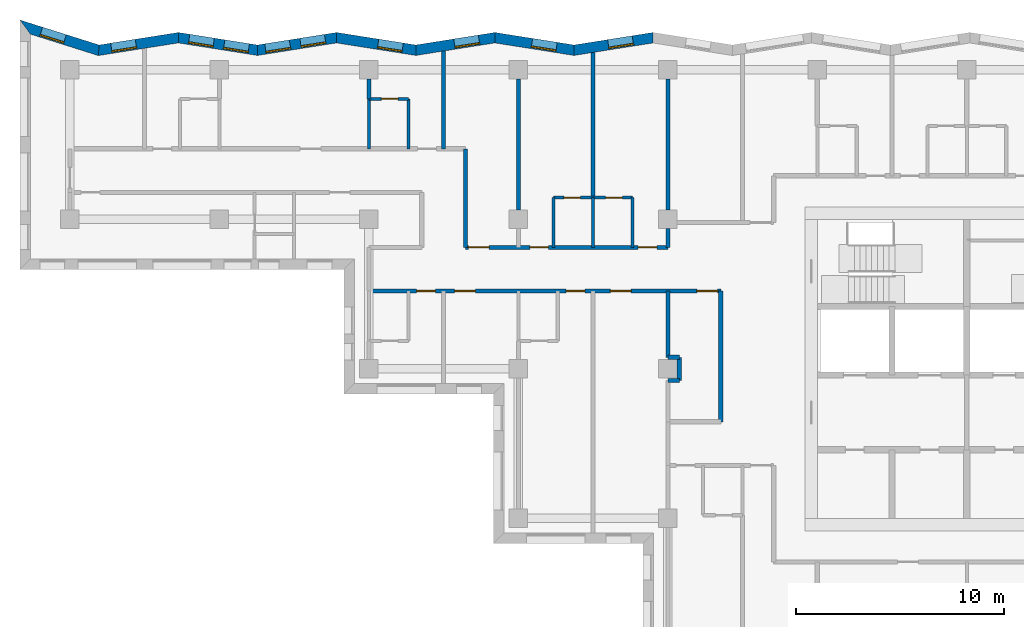
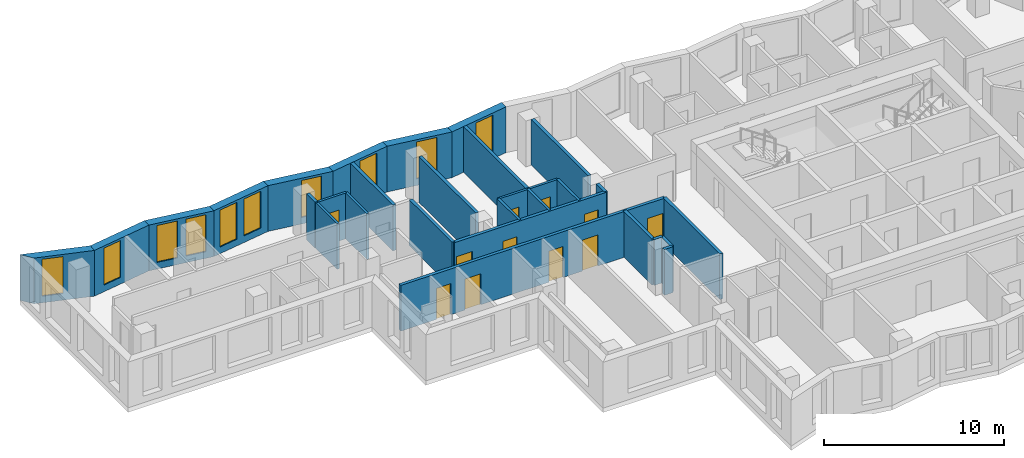
# One storey, part 5 of 12: 29 walls, 11 doors, 10 windows, 21 openings.
"""IFC4 building model written with IfcOpenShell, lengths in metres."""

import ifcopenshell
import ifcopenshell.guid

model = None  # the IFC model being written
_history = None  # IfcOwnerHistory: only IFC2X3 demands one
_inside = {}  # id of a spatial element -> (the spatial element, [elements in it])
_under = {}  # id of a project, library or spatial element -> (it, [spatial elements below it])
_declared = {}  # id of a project -> (the project, [libraries it declares])
_typed = {}  # id of a type object -> (the type object, [elements of that type])
_made_of = {}  # id of a material, layer set ... -> (it, [elements and type objects made of it])


def new_model(schema):
    """Start an empty IFC model of exactly this schema.

    Asked for "IFC4X3", IfcOpenShell would pick the latest addendum, in which some entities
    have other attributes; the version numbers below select the first issue.
    IFC2X3 requires an IfcOwnerHistory on every rooted entity: one is made here for all.
    """
    global model, _history
    if schema == "IFC4X3":
        model = ifcopenshell.file(schema_version=(4, 3, 0, 0))
    else:
        model = ifcopenshell.file(schema=schema)
    _inside.clear()
    _under.clear()
    _declared.clear()
    _typed.clear()
    _made_of.clear()
    _history = None
    if model.schema == "IFC2X3":
        org = make("IfcOrganization", Name="unknown")
        user = make(
            "IfcPersonAndOrganization",
            ThePerson=make("IfcPerson", FamilyName="unknown"),
            TheOrganization=org,
        )
        app = make(
            "IfcApplication",
            ApplicationDeveloper=org,
            Version="unknown",
            ApplicationFullName="unknown",
            ApplicationIdentifier="unknown",
        )
        _history = make(
            "IfcOwnerHistory",
            OwningUser=user,
            OwningApplication=app,
            ChangeAction="ADDED",
            CreationDate=0,
        )
    return model


def make(cls, **values):
    """One entity of the class cls with the attributes given. An attribute that is None is left unset."""
    return model.create_entity(
        cls, **{name: value for name, value in values.items() if value is not None}
    )


def rooted(cls, **values):
    """An entity with a GlobalId (a new one), such as an element, a storey or a relation."""
    return make(cls, GlobalId=ifcopenshell.guid.new(), OwnerHistory=_history, **values)


def si_unit(unit_type, name, prefix=None):
    """IfcSIUnit, for example si_unit("LENGTHUNIT", "METRE", prefix="MILLI")."""
    return make("IfcSIUnit", UnitType=unit_type, Prefix=prefix, Name=name)


def assignment(units):
    """IfcUnitAssignment: the units of a project."""
    return None if units is None else make("IfcUnitAssignment", Units=units)


def point(xyz):
    """IfcCartesianPoint."""
    return None if xyz is None else make("IfcCartesianPoint", Coordinates=xyz)


def direction(xyz):
    """IfcDirection."""
    return None if xyz is None else make("IfcDirection", DirectionRatios=xyz)


def frame(location, z_axis=None, x_axis=None):
    """IfcAxis2Placement3D, a coordinate frame: its origin and axes. An axis left out is left unset."""
    return make(
        "IfcAxis2Placement3D",
        Location=point(location),
        Axis=direction(z_axis),
        RefDirection=direction(x_axis),
    )


def frame_2d(location, x_axis=None):
    """IfcAxis2Placement2D, a coordinate frame in the plane: its origin and x axis."""
    return make(
        "IfcAxis2Placement2D", Location=point(location), RefDirection=direction(x_axis)
    )


def origin():
    """The frame at (0, 0, 0) with its axes left unset."""
    return frame((0.0, 0.0, 0.0))


def place(relative_to, where):
    """IfcLocalPlacement: puts the frame where relative to a parent placement (None: the world)."""
    return make(
        "IfcLocalPlacement", PlacementRelTo=relative_to, RelativePlacement=where
    )


def context(
    kind, dimensions, precision=None, world=None, true_north=None, identifier=None
):
    """IfcGeometricRepresentationContext, for example the 3D "Model" context."""
    return make(
        "IfcGeometricRepresentationContext",
        ContextIdentifier=identifier,
        ContextType=kind,
        CoordinateSpaceDimension=dimensions,
        Precision=precision,
        WorldCoordinateSystem=world,
        TrueNorth=true_north,
    )


def subcontext(parent, identifier, kind, view, scale=None):
    """IfcGeometricRepresentationSubContext, for example "Body" below "Model"."""
    return make(
        "IfcGeometricRepresentationSubContext",
        ContextIdentifier=identifier,
        ContextType=kind,
        ParentContext=parent,
        TargetScale=scale,
        TargetView=view,
    )


def project(units=None, contexts=None):
    """IfcProject with its units and contexts."""
    return rooted(
        "IfcProject",
        Name="project",
        RepresentationContexts=contexts,
        UnitsInContext=assignment(units),
    )


def spatial(cls, under=None, at=None, **own):
    """A site, building, storey or space (cls), placed at a placement, below another one or the project."""
    s = rooted(cls, ObjectPlacement=at, **own)
    if under is not None:
        _under.setdefault(under.id(), (under, []))[1].append(s)
    return s


def polyline(points):
    """IfcPolyline through the points."""
    return make("IfcPolyline", Points=[point(p) for p in points])


def profile(cls, at=None, kind="AREA", **sizes):
    """A parametric profile (cls). Its sizes go by their IFC names, for example OverallWidth=200.0."""
    return make(cls, ProfileType=kind, Position=at, **sizes)


def rectangle(**sizes):
    """IfcRectangleProfileDef."""
    return profile("IfcRectangleProfileDef", **sizes)


def outline(outer, holes=None, kind="AREA"):
    """IfcArbitraryClosedProfileDef: a profile drawn as a closed curve; with holes, ...WithVoids."""
    if holes is None:
        return make("IfcArbitraryClosedProfileDef", ProfileType=kind, OuterCurve=outer)
    return make(
        "IfcArbitraryProfileDefWithVoids",
        ProfileType=kind,
        OuterCurve=outer,
        InnerCurves=holes,
    )


def extrude(swept, where, along, depth):
    """IfcExtrudedAreaSolid: the profile swept, set in the frame where, extruded along a direction by depth."""
    return make(
        "IfcExtrudedAreaSolid",
        SweptArea=swept,
        Position=where,
        ExtrudedDirection=direction(along),
        Depth=depth,
    )


def shape(context_of_items, identifier, shape_type, items):
    """IfcShapeRepresentation: the items that make up one representation, for example the "Body"."""
    return make(
        "IfcShapeRepresentation",
        ContextOfItems=context_of_items,
        RepresentationIdentifier=identifier,
        RepresentationType=shape_type,
        Items=items,
    )


def material(Name=None, Category=None):
    """IfcMaterial."""
    return make("IfcMaterial", Name=Name, Category=Category)


def layer(
    of_material, thickness, ventilated=None, Name=None, Category=None, Priority=None
):
    """IfcMaterialLayer: one layer of a wall or slab, of a material (None: an air gap)."""
    return make(
        "IfcMaterialLayer",
        Material=of_material,
        LayerThickness=thickness,
        IsVentilated=ventilated,
        Name=Name,
        Category=Category,
        Priority=Priority,
    )


def layer_set(layers, Name=None):
    """IfcMaterialLayerSet."""
    return make("IfcMaterialLayerSet", MaterialLayers=layers, LayerSetName=Name)


def made_of(thing, what):
    """Note that an element or type object is made of a material, layer set ...; save() writes the relation."""
    if what is not None:
        _made_of.setdefault(what.id(), (what, []))[1].append(thing)
    return thing


def type_object(cls, material=None, **own):
    """A type object (cls), such as IfcWallType, which elements share."""
    return made_of(rooted(cls, **own), material)


def element(
    cls,
    number,
    at=None,
    inside=None,
    cuts=None,
    type_object=None,
    material=None,
    context=None,
    identifier="Body",
    shape_type=None,
    held_by="IfcProductDefinitionShape",
    body=None,
    shapes=None,
    **own,
):
    """One element of the class cls, such as IfcWall. Its Tag is "e" and its number.

    at: its placement. inside: the storey or other place that contains it. cuts: it is an
    opening in that element (IfcRelVoidsElement). A single representation is given by context,
    identifier, shape_type and body (its items); several are given by shapes. held_by: the class
    of the entity that holds the representations. save() writes the other relations.
    """
    e = rooted(cls, Tag="e%d" % number, ObjectPlacement=at, **own)
    if body is not None:
        shapes = [shape(context, identifier, shape_type, body)]
    if shapes is not None:
        e.Representation = make(held_by, Representations=shapes)
    if inside is not None:
        _inside.setdefault(inside.id(), (inside, []))[1].append(e)
    if cuts is not None:
        rooted(
            "IfcRelVoidsElement", RelatingBuildingElement=cuts, RelatedOpeningElement=e
        )
    if type_object is not None:
        _typed.setdefault(type_object.id(), (type_object, []))[1].append(e)
    return made_of(e, material)


def fill(opening, filler):
    """IfcRelFillsElement: the door or window that sits in an opening."""
    return rooted(
        "IfcRelFillsElement",
        RelatingOpeningElement=opening,
        RelatedBuildingElement=filler,
    )


def aggregate(whole, parts):
    """IfcRelAggregates: a whole, such as a stair, and the parts it consists of."""
    return rooted("IfcRelAggregates", RelatingObject=whole, RelatedObjects=parts)


def save(model, path):
    """Write the relations noted so far, then the file.

    IfcRelAggregates (storeys below a building ...), IfcRelContainedInSpatialStructure (elements
    in a storey), IfcRelDefinesByType, IfcRelAssociatesMaterial and IfcRelDeclares: one each for
    every whole, place, type object, material and project.
    """
    for whole, parts in _under.values():
        aggregate(whole, parts)
    for where, things in _inside.values():
        rooted(
            "IfcRelContainedInSpatialStructure",
            RelatedElements=things,
            RelatingStructure=where,
        )
    for kind, things in _typed.values():
        rooted("IfcRelDefinesByType", RelatedObjects=things, RelatingType=kind)
    for what, things in _made_of.values():
        rooted("IfcRelAssociatesMaterial", RelatedObjects=things, RelatingMaterial=what)
    for by, libraries in _declared.values():
        rooted("IfcRelDeclares", RelatingContext=by, RelatedDefinitions=libraries)
    model.write(path)


model = new_model("IFC4")

# Units and contexts
model_context = context("Model", 3, precision=1e-05, world=origin(), true_north=direction((0.0, 1.0)))
body_context = subcontext(model_context, "Body", "Model", "MODEL_VIEW")
ifc_project = project(units=[si_unit("LENGTHUNIT", "METRE"), si_unit("AREAUNIT", "SQUARE_METRE"), si_unit("VOLUMEUNIT", "CUBIC_METRE"), si_unit("PLANEANGLEUNIT", "RADIAN"), si_unit("MASSUNIT", "GRAM", prefix="KILO")], contexts=[model_context])

# Site, building, storey
site_placement = place(None, origin())
site = spatial("IfcSite", under=ifc_project, at=site_placement, CompositionType="ELEMENT")
building_placement = place(site_placement, origin())
building = spatial("IfcBuilding", under=site, at=building_placement, Name="Windrow Commons", CompositionType="ELEMENT")
storey_placement = place(building_placement, frame((0.0, 0.0, 169.4)))
storey = spatial("IfcBuildingStorey", under=building, at=storey_placement, Name="L46", CompositionType="ELEMENT", Elevation=169.4)

# Wall, opening, window
ifc_material_1 = material(Name="Brick masonry, red clay brick", Category="masonry")
ifc_layer_1 = layer(ifc_material_1, 0.5)
ifc_layer_set_1 = layer_set([ifc_layer_1], Name="Brick facade wall 500")
wall_type_1 = type_object("IfcWallType", Name="Brick facade wall 500", PredefinedType="SOLIDWALL", material=ifc_layer_set_1)
wall_1_placement = place(storey_placement, frame((49.6962, 73.5499, 0.0), z_axis=(0.0, 0.0, 1.0), x_axis=(-0.9877213372, -0.1562259905, 0.0)))
wall_1 = element("IfcWall", 1, at=wall_1_placement, inside=storey, type_object=wall_type_1, Name="Brick facade wall L46 27", PredefinedType="SOLIDWALL", context=body_context, shape_type="SweptSolid", body=[
    extrude(outline(polyline([(-0.0395, -0.25), (3.8203, -0.25), (3.8993, 0.25), (0.0395, 0.25), (-0.0395, -0.25)])), origin(), (0.0, 0.0, 1.0), 3.1),
])
opening_1_placement = place(wall_1_placement, frame((0.9859, 0.0, 0.45)))
opening_1 = element("IfcOpeningElement", 2, at=opening_1_placement, cuts=wall_1, Name="Opening W7E", PredefinedType="OPENING", context=body_context, shape_type="SweptSolid", body=[
    extrude(rectangle(XDim=1.2, YDim=2.5, at=frame_2d((0.6, 1.25))), frame((0.0, 0.26, 0.0), z_axis=(0.0, -1.0, 0.0), x_axis=(1.0, 0.0, 0.0)), (0.0, 0.0, 1.0), 0.52),
])
ifc_material_2 = material(Name="Clear float glass in anodised aluminium frame", Category="aluminium")
window_type = type_object("IfcWindowType", Name="Window W7 notch 1200x2500", PartitioningType="SINGLE_PANEL", PredefinedType="WINDOW", material=ifc_material_2)
window_1_placement = place(opening_1_placement, origin())
window_1 = element("IfcWindow", 3, at=window_1_placement, inside=storey, type_object=window_type, Name="Window L46 27.1", OverallHeight=2.5, OverallWidth=1.2, PartitioningType="SINGLE_PANEL", PredefinedType="WINDOW", context=body_context, shape_type="SweptSolid", body=[
    extrude(rectangle(XDim=1.2, YDim=2.5, at=frame_2d((0.6, 1.25))), frame((0.0, 0.18, 0.0), z_axis=(0.0, -1.0, 0.0), x_axis=(1.0, 0.0, 0.0)), (0.0, 0.0, 1.0), 0.06),
])
fill(opening_1, window_1)

wall_2_placement = place(storey_placement, frame((45.8838, 72.9469, 0.0), z_axis=(0.0, 0.0, 1.0), x_axis=(-0.9877213372, 0.1562259905, 0.0)))
wall_2 = element("IfcWall", 4, at=wall_2_placement, inside=storey, type_object=wall_type_1, Name="Brick facade wall L46 28", PredefinedType="SOLIDWALL", context=body_context, shape_type="SweptSolid", body=[
    extrude(outline(polyline([(0.0395, -0.25), (3.8993, -0.25), (3.8203, 0.25), (-0.0395, 0.25), (0.0395, -0.25)])), origin(), (0.0, 0.0, 1.0), 3.1),
])
opening_2_placement = place(wall_2_placement, frame((0.8586, 0.0, 0.45)))
opening_2 = element("IfcOpeningElement", 5, at=opening_2_placement, cuts=wall_2, Name="Opening W7E", PredefinedType="OPENING", context=body_context, shape_type="SweptSolid", body=[
    extrude(rectangle(XDim=1.2, YDim=2.5, at=frame_2d((0.6, 1.25))), frame((0.0, 0.26, 0.0), z_axis=(0.0, -1.0, 0.0), x_axis=(1.0, 0.0, 0.0)), (0.0, 0.0, 1.0), 0.52),
])
window_2_placement = place(opening_2_placement, origin())
window_2 = element("IfcWindow", 6, at=window_2_placement, inside=storey, type_object=window_type, Name="Window L46 28.1", OverallHeight=2.5, OverallWidth=1.2, PartitioningType="SINGLE_PANEL", PredefinedType="WINDOW", context=body_context, shape_type="SweptSolid", body=[
    extrude(rectangle(XDim=1.2, YDim=2.5, at=frame_2d((0.6, 1.25))), frame((0.0, 0.18, 0.0), z_axis=(0.0, -1.0, 0.0), x_axis=(1.0, 0.0, 0.0)), (0.0, 0.0, 1.0), 0.06),
])
fill(opening_2, window_2)

wall_3_placement = place(storey_placement, frame((42.0714, 73.5499, 0.0), z_axis=(0.0, 0.0, 1.0), x_axis=(-0.9877213372, -0.1562259905, 0.0)))
wall_3 = element("IfcWall", 7, at=wall_3_placement, inside=storey, type_object=wall_type_1, Name="Brick facade wall L46 29", PredefinedType="SOLIDWALL", context=body_context, shape_type="SweptSolid", body=[
    extrude(outline(polyline([(-0.0395, -0.25), (3.8203, -0.25), (3.8993, 0.25), (0.0395, 0.25), (-0.0395, -0.25)])), origin(), (0.0, 0.0, 1.0), 3.1),
])
opening_3_placement = place(wall_3_placement, frame((0.7708, 0.0, 0.45)))
opening_3 = element("IfcOpeningElement", 8, at=opening_3_placement, cuts=wall_3, Name="Opening W7E", PredefinedType="OPENING", context=body_context, shape_type="SweptSolid", body=[
    extrude(rectangle(XDim=1.2, YDim=2.5, at=frame_2d((0.6, 1.25))), frame((0.0, 0.26, 0.0), z_axis=(0.0, -1.0, 0.0), x_axis=(1.0, 0.0, 0.0)), (0.0, 0.0, 1.0), 0.52),
])
window_3_placement = place(opening_3_placement, origin())
window_3 = element("IfcWindow", 9, at=window_3_placement, inside=storey, type_object=window_type, Name="Window L46 29.1", OverallHeight=2.5, OverallWidth=1.2, PartitioningType="SINGLE_PANEL", PredefinedType="WINDOW", context=body_context, shape_type="SweptSolid", body=[
    extrude(rectangle(XDim=1.2, YDim=2.5, at=frame_2d((0.6, 1.25))), frame((0.0, 0.18, 0.0), z_axis=(0.0, -1.0, 0.0), x_axis=(1.0, 0.0, 0.0)), (0.0, 0.0, 1.0), 0.06),
])
fill(opening_3, window_3)

wall_4_placement = place(storey_placement, frame((38.259, 72.9469, 0.0), z_axis=(0.0, 0.0, 1.0), x_axis=(-0.9877213372, 0.1562259905, 0.0)))
wall_4 = element("IfcWall", 10, at=wall_4_placement, inside=storey, type_object=wall_type_1, Name="Brick facade wall L46 30", PredefinedType="SOLIDWALL", context=body_context, shape_type="SweptSolid", body=[
    extrude(outline(polyline([(0.0395, -0.25), (3.8993, -0.25), (3.8203, 0.25), (-0.0395, 0.25), (0.0395, -0.25)])), origin(), (0.0, 0.0, 1.0), 3.1),
])
opening_4_placement = place(wall_4_placement, frame((0.6435, 0.0, 0.45)))
opening_4 = element("IfcOpeningElement", 11, at=opening_4_placement, cuts=wall_4, Name="Opening W7E", PredefinedType="OPENING", context=body_context, shape_type="SweptSolid", body=[
    extrude(rectangle(XDim=1.2, YDim=2.5, at=frame_2d((0.6, 1.25))), frame((0.0, 0.26, 0.0), z_axis=(0.0, -1.0, 0.0), x_axis=(1.0, 0.0, 0.0)), (0.0, 0.0, 1.0), 0.52),
])
window_4_placement = place(opening_4_placement, origin())
window_4 = element("IfcWindow", 12, at=window_4_placement, inside=storey, type_object=window_type, Name="Window L46 30.1", OverallHeight=2.5, OverallWidth=1.2, PartitioningType="SINGLE_PANEL", PredefinedType="WINDOW", context=body_context, shape_type="SweptSolid", body=[
    extrude(rectangle(XDim=1.2, YDim=2.5, at=frame_2d((0.6, 1.25))), frame((0.0, 0.18, 0.0), z_axis=(0.0, -1.0, 0.0), x_axis=(1.0, 0.0, 0.0)), (0.0, 0.0, 1.0), 0.06),
])
fill(opening_4, window_4)

# Wall, openings, windows
wall_5_placement = place(storey_placement, frame((34.4466, 73.5499, 0.0), z_axis=(0.0, 0.0, 1.0), x_axis=(-0.9877213372, -0.1562259905, 0.0)))
wall_5 = element("IfcWall", 13, at=wall_5_placement, inside=storey, type_object=wall_type_1, Name="Brick facade wall L46 31", PredefinedType="SOLIDWALL", context=body_context, shape_type="SweptSolid", body=[
    extrude(outline(polyline([(-0.0395, -0.25), (3.8203, -0.25), (3.8993, 0.25), (0.0395, 0.25), (-0.0395, -0.25)])), origin(), (0.0, 0.0, 1.0), 3.1),
])
opening_5_placement = place(wall_5_placement, frame((0.5558, 0.0, 0.45)))
opening_5 = element("IfcOpeningElement", 14, at=opening_5_placement, cuts=wall_5, Name="Opening W7E", PredefinedType="OPENING", context=body_context, shape_type="SweptSolid", body=[
    extrude(rectangle(XDim=1.2, YDim=2.5, at=frame_2d((0.6, 1.25))), frame((0.0, 0.26, 0.0), z_axis=(0.0, -1.0, 0.0), x_axis=(1.0, 0.0, 0.0)), (0.0, 0.0, 1.0), 0.52),
])
opening_6_placement = place(wall_5_placement, frame((2.2659, 0.0, 0.45)))
opening_6 = element("IfcOpeningElement", 15, at=opening_6_placement, cuts=wall_5, Name="Opening W7E", PredefinedType="OPENING", context=body_context, shape_type="SweptSolid", body=[
    extrude(rectangle(XDim=1.2, YDim=2.5, at=frame_2d((0.6, 1.25))), frame((0.0, 0.26, 0.0), z_axis=(0.0, -1.0, 0.0), x_axis=(1.0, 0.0, 0.0)), (0.0, 0.0, 1.0), 0.52),
])
window_5_placement = place(opening_5_placement, origin())
window_5 = element("IfcWindow", 16, at=window_5_placement, inside=storey, type_object=window_type, Name="Window L46 31.1", OverallHeight=2.5, OverallWidth=1.2, PartitioningType="SINGLE_PANEL", PredefinedType="WINDOW", context=body_context, shape_type="SweptSolid", body=[
    extrude(rectangle(XDim=1.2, YDim=2.5, at=frame_2d((0.6, 1.25))), frame((0.0, 0.18, 0.0), z_axis=(0.0, -1.0, 0.0), x_axis=(1.0, 0.0, 0.0)), (0.0, 0.0, 1.0), 0.06),
])
fill(opening_5, window_5)
window_6_placement = place(opening_6_placement, origin())
window_6 = element("IfcWindow", 17, at=window_6_placement, inside=storey, type_object=window_type, Name="Window L46 31.2", OverallHeight=2.5, OverallWidth=1.2, PartitioningType="SINGLE_PANEL", PredefinedType="WINDOW", context=body_context, shape_type="SweptSolid", body=[
    extrude(rectangle(XDim=1.2, YDim=2.5, at=frame_2d((0.6, 1.25))), frame((0.0, 0.18, 0.0), z_axis=(0.0, -1.0, 0.0), x_axis=(1.0, 0.0, 0.0)), (0.0, 0.0, 1.0), 0.06),
])
fill(opening_6, window_6)

wall_6_placement = place(storey_placement, frame((30.6342, 72.9469, 0.0), z_axis=(0.0, 0.0, 1.0), x_axis=(-0.9877213372, 0.1562259905, 0.0)))
wall_6 = element("IfcWall", 18, at=wall_6_placement, inside=storey, type_object=wall_type_1, Name="Brick facade wall L46 32", PredefinedType="SOLIDWALL", context=body_context, shape_type="SweptSolid", body=[
    extrude(outline(polyline([(0.0395, -0.25), (3.8993, -0.25), (3.8203, 0.25), (-0.0395, 0.25), (0.0395, -0.25)])), origin(), (0.0, 0.0, 1.0), 3.1),
])
opening_7_placement = place(wall_6_placement, frame((0.4285, 0.0, 0.45)))
opening_7 = element("IfcOpeningElement", 19, at=opening_7_placement, cuts=wall_6, Name="Opening W7E", PredefinedType="OPENING", context=body_context, shape_type="SweptSolid", body=[
    extrude(rectangle(XDim=1.2, YDim=2.5, at=frame_2d((0.6, 1.25))), frame((0.0, 0.26, 0.0), z_axis=(0.0, -1.0, 0.0), x_axis=(1.0, 0.0, 0.0)), (0.0, 0.0, 1.0), 0.52),
])
opening_8_placement = place(wall_6_placement, frame((2.1386, 0.0, 0.45)))
opening_8 = element("IfcOpeningElement", 20, at=opening_8_placement, cuts=wall_6, Name="Opening W7E", PredefinedType="OPENING", context=body_context, shape_type="SweptSolid", body=[
    extrude(rectangle(XDim=1.2, YDim=2.5, at=frame_2d((0.6, 1.25))), frame((0.0, 0.26, 0.0), z_axis=(0.0, -1.0, 0.0), x_axis=(1.0, 0.0, 0.0)), (0.0, 0.0, 1.0), 0.52),
])
window_7_placement = place(opening_7_placement, origin())
window_7 = element("IfcWindow", 21, at=window_7_placement, inside=storey, type_object=window_type, Name="Window L46 32.1", OverallHeight=2.5, OverallWidth=1.2, PartitioningType="SINGLE_PANEL", PredefinedType="WINDOW", context=body_context, shape_type="SweptSolid", body=[
    extrude(rectangle(XDim=1.2, YDim=2.5, at=frame_2d((0.6, 1.25))), frame((0.0, 0.18, 0.0), z_axis=(0.0, -1.0, 0.0), x_axis=(1.0, 0.0, 0.0)), (0.0, 0.0, 1.0), 0.06),
])
fill(opening_7, window_7)
window_8_placement = place(opening_8_placement, origin())
window_8 = element("IfcWindow", 22, at=window_8_placement, inside=storey, type_object=window_type, Name="Window L46 32.2", OverallHeight=2.5, OverallWidth=1.2, PartitioningType="SINGLE_PANEL", PredefinedType="WINDOW", context=body_context, shape_type="SweptSolid", body=[
    extrude(rectangle(XDim=1.2, YDim=2.5, at=frame_2d((0.6, 1.25))), frame((0.0, 0.18, 0.0), z_axis=(0.0, -1.0, 0.0), x_axis=(1.0, 0.0, 0.0)), (0.0, 0.0, 1.0), 0.06),
])
fill(opening_8, window_8)

# Wall, opening, window
wall_7_placement = place(storey_placement, frame((26.8218, 73.5499, 0.0), z_axis=(0.0, 0.0, 1.0), x_axis=(-0.9877221729, -0.1562207065, 0.0)))
wall_7 = element("IfcWall", 23, at=wall_7_placement, inside=storey, type_object=wall_type_1, Name="Brick facade wall L46 33", PredefinedType="SOLIDWALL", context=body_context, shape_type="SweptSolid", body=[
    extrude(outline(polyline([(-0.0395, -0.25), (3.8203, -0.25), (3.938, 0.25), (0.0395, 0.25), (-0.0395, -0.25)])), origin(), (0.0, 0.0, 1.0), 3.1),
])
opening_9_placement = place(wall_7_placement, frame((2.0605, 0.0, 0.45)))
opening_9 = element("IfcOpeningElement", 24, at=opening_9_placement, cuts=wall_7, Name="Opening W7E", PredefinedType="OPENING", context=body_context, shape_type="SweptSolid", body=[
    extrude(rectangle(XDim=1.2, YDim=2.5, at=frame_2d((0.6, 1.25))), frame((0.0, 0.26, 0.0), z_axis=(0.0, -1.0, 0.0), x_axis=(1.0, 0.0, 0.0)), (0.0, 0.0, 1.0), 0.52),
])
window_9_placement = place(opening_9_placement, origin())
window_9 = element("IfcWindow", 25, at=window_9_placement, inside=storey, type_object=window_type, Name="Window L46 33.1", OverallHeight=2.5, OverallWidth=1.2, PartitioningType="SINGLE_PANEL", PredefinedType="WINDOW", context=body_context, shape_type="SweptSolid", body=[
    extrude(rectangle(XDim=1.2, YDim=2.5, at=frame_2d((0.6, 1.25))), frame((0.0, 0.18, 0.0), z_axis=(0.0, -1.0, 0.0), x_axis=(1.0, 0.0, 0.0)), (0.0, 0.0, 1.0), 0.06),
])
fill(opening_9, window_9)

wall_8_placement = place(storey_placement, frame((22.9903, 72.9439, 0.0), z_axis=(0.0, 0.0, 1.0), x_axis=(-0.9536473183, 0.3009265562, 0.0)))
wall_8 = element("IfcWall", 26, at=wall_8_placement, inside=storey, type_object=wall_type_1, Name="Brick facade wall L46 34", PredefinedType="SOLIDWALL", context=body_context, shape_type="SweptSolid", body=[
    extrude(outline(polyline([(0.0589, -0.25), (4.0566, -0.25), (3.3745, 0.25), (-0.0589, 0.25), (0.0589, -0.25)])), origin(), (0.0, 0.0, 1.0), 3.1),
])
opening_10_placement = place(wall_8_placement, frame((1.7162, 0.0, 0.45)))
opening_10 = element("IfcOpeningElement", 27, at=opening_10_placement, cuts=wall_8, Name="Opening W7E", PredefinedType="OPENING", context=body_context, shape_type="SweptSolid", body=[
    extrude(rectangle(XDim=1.2, YDim=2.5, at=frame_2d((0.6, 1.25))), frame((0.0, 0.26, 0.0), z_axis=(0.0, -1.0, 0.0), x_axis=(1.0, 0.0, 0.0)), (0.0, 0.0, 1.0), 0.52),
])
window_10_placement = place(opening_10_placement, origin())
window_10 = element("IfcWindow", 28, at=window_10_placement, inside=storey, type_object=window_type, Name="Window L46 34.1", OverallHeight=2.5, OverallWidth=1.2, PartitioningType="SINGLE_PANEL", PredefinedType="WINDOW", context=body_context, shape_type="SweptSolid", body=[
    extrude(rectangle(XDim=1.2, YDim=2.5, at=frame_2d((0.6, 1.25))), frame((0.0, 0.18, 0.0), z_axis=(0.0, -1.0, 0.0), x_axis=(1.0, 0.0, 0.0)), (0.0, 0.0, 1.0), 0.06),
])
fill(opening_10, window_10)

# Wall, openings, doors
ifc_material_3 = material(Name="Blockwork partition", Category="masonry")
ifc_layer_2 = layer(ifc_material_3, 0.2)
ifc_layer_set_2 = layer_set([ifc_layer_2], Name="IW-CORRIDOR-200")
wall_type_2 = type_object("IfcWallType", Name="IW-CORRIDOR-200", PredefinedType="PARTITIONING", material=ifc_layer_set_2)
wall_9_placement = place(storey_placement, frame((36.0, 61.35, 0.0), z_axis=(0.0, 0.0, 1.0), x_axis=(1.0, 0.0, 0.0)))
wall_9 = element("IfcWall", 29, at=wall_9_placement, inside=storey, type_object=wall_type_2, Name="W-L46-W003", PredefinedType="PARTITIONING", context=body_context, shape_type="SweptSolid", body=[
    extrude(rectangle(XDim=16.95, YDim=0.2, at=frame_2d((8.475, 0.0))), origin(), (0.0, 0.0, 1.0), 3.1),
])
opening_11_placement = place(wall_9_placement, frame((2.3, 0.0, 0.0)))
opening_11 = element("IfcOpeningElement", 30, at=opening_11_placement, cuts=wall_9, Name="Opening D109S", PredefinedType="OPENING", context=body_context, shape_type="SweptSolid", body=[
    extrude(rectangle(XDim=0.9, YDim=2.1, at=frame_2d((0.45, 1.05))), frame((0.0, 0.11, 0.0), z_axis=(0.0, -1.0, 0.0), x_axis=(1.0, 0.0, 0.0)), (0.0, 0.0, 1.0), 0.22),
])
opening_12_placement = place(wall_9_placement, frame((4.125, 0.0, 0.0)))
opening_12 = element("IfcOpeningElement", 31, at=opening_12_placement, cuts=wall_9, Name="Opening D310F", PredefinedType="OPENING", context=body_context, shape_type="SweptSolid", body=[
    extrude(rectangle(XDim=1.0, YDim=2.1, at=frame_2d((0.5, 1.05))), frame((0.0, 0.11, 0.0), z_axis=(0.0, -1.0, 0.0), x_axis=(1.0, 0.0, 0.0)), (0.0, 0.0, 1.0), 0.22),
])
opening_13_placement = place(wall_9_placement, frame((9.5, 0.0, 0.0)))
opening_13 = element("IfcOpeningElement", 32, at=opening_13_placement, cuts=wall_9, Name="Opening D109S", PredefinedType="OPENING", context=body_context, shape_type="SweptSolid", body=[
    extrude(rectangle(XDim=0.9, YDim=2.1, at=frame_2d((0.45, 1.05))), frame((0.0, 0.11, 0.0), z_axis=(0.0, -1.0, 0.0), x_axis=(1.0, 0.0, 0.0)), (0.0, 0.0, 1.0), 0.22),
])
opening_14_placement = place(wall_9_placement, frame((11.635, 0.0, 0.0)))
opening_14 = element("IfcOpeningElement", 33, at=opening_14_placement, cuts=wall_9, Name="Opening D310F", PredefinedType="OPENING", context=body_context, shape_type="SweptSolid", body=[
    extrude(rectangle(XDim=1.0, YDim=2.1, at=frame_2d((0.5, 1.05))), frame((0.0, 0.11, 0.0), z_axis=(0.0, -1.0, 0.0), x_axis=(1.0, 0.0, 0.0)), (0.0, 0.0, 1.0), 0.22),
])
opening_15_placement = place(wall_9_placement, frame((15.8032, 0.0, 0.0)))
opening_15 = element("IfcOpeningElement", 34, at=opening_15_placement, cuts=wall_9, Name="Opening D410F", PredefinedType="OPENING", context=body_context, shape_type="SweptSolid", body=[
    extrude(rectangle(XDim=1.0, YDim=2.1, at=frame_2d((0.5, 1.05))), frame((0.0, 0.11, 0.0), z_axis=(0.0, -1.0, 0.0), x_axis=(1.0, 0.0, 0.0)), (0.0, 0.0, 1.0), 0.22),
])
ifc_material_4 = material(Name="Timber door leaf", Category="wood")
door_type_1 = type_object("IfcDoorType", Name="DT-AMENITY-1000", OperationType="SINGLE_SWING_LEFT", PredefinedType="DOOR", material=ifc_material_4)
door_1_placement = place(opening_12_placement, origin())
door_1 = element("IfcDoor", 35, at=door_1_placement, inside=storey, type_object=door_type_1, Name="D-L46-D013", OperationType="SINGLE_SWING_RIGHT", OverallHeight=2.1, OverallWidth=1.0, PredefinedType="DOOR", context=body_context, shape_type="SweptSolid", body=[
    extrude(rectangle(XDim=1.0, YDim=2.1, at=frame_2d((0.5, 1.05))), frame((0.0, 0.025, 0.0), z_axis=(0.0, -1.0, 0.0), x_axis=(1.0, 0.0, 0.0)), (0.0, 0.0, 1.0), 0.05),
])
fill(opening_12, door_1)
door_2_placement = place(opening_14_placement, origin())
door_2 = element("IfcDoor", 36, at=door_2_placement, inside=storey, type_object=door_type_1, Name="D-L46-D021", OperationType="SINGLE_SWING_RIGHT", OverallHeight=2.1, OverallWidth=1.0, PredefinedType="DOOR", context=body_context, shape_type="SweptSolid", body=[
    extrude(rectangle(XDim=1.0, YDim=2.1, at=frame_2d((0.5, 1.05))), frame((0.0, 0.025, 0.0), z_axis=(0.0, -1.0, 0.0), x_axis=(1.0, 0.0, 0.0)), (0.0, 0.0, 1.0), 0.05),
])
fill(opening_14, door_2)
ifc_material_5 = material(Name="Timber door leaf", Category="wood")
door_type_2 = type_object("IfcDoorType", Name="DT-BEDROOM-900", OperationType="SINGLE_SWING_LEFT", PredefinedType="DOOR", material=ifc_material_5)
door_3_placement = place(opening_11_placement, origin())
door_3 = element("IfcDoor", 37, at=door_3_placement, inside=storey, type_object=door_type_2, Name="D-L46-D011", OperationType="SINGLE_SWING_LEFT", OverallHeight=2.1, OverallWidth=0.9, PredefinedType="DOOR", context=body_context, shape_type="SweptSolid", body=[
    extrude(rectangle(XDim=0.9, YDim=2.1, at=frame_2d((0.45, 1.05))), frame((0.0, 0.025, 0.0), z_axis=(0.0, -1.0, 0.0), x_axis=(1.0, 0.0, 0.0)), (0.0, 0.0, 1.0), 0.05),
])
fill(opening_11, door_3)
door_4_placement = place(opening_13_placement, origin())
door_4 = element("IfcDoor", 38, at=door_4_placement, inside=storey, type_object=door_type_2, Name="D-L46-D014", OperationType="SINGLE_SWING_LEFT", OverallHeight=2.1, OverallWidth=0.9, PredefinedType="DOOR", context=body_context, shape_type="SweptSolid", body=[
    extrude(rectangle(XDim=0.9, YDim=2.1, at=frame_2d((0.45, 1.05))), frame((0.0, 0.025, 0.0), z_axis=(0.0, -1.0, 0.0), x_axis=(1.0, 0.0, 0.0)), (0.0, 0.0, 1.0), 0.05),
])
fill(opening_13, door_4)
ifc_material_6 = material(Name="Timber door leaf", Category="wood")
door_type_3 = type_object("IfcDoorType", Name="DT-SERVICE-1000", OperationType="SINGLE_SWING_LEFT", PredefinedType="DOOR", material=ifc_material_6)
door_5_placement = place(opening_15_placement, origin())
door_5 = element("IfcDoor", 39, at=door_5_placement, inside=storey, type_object=door_type_3, Name="D-L46-D024", OperationType="SINGLE_SWING_LEFT", OverallHeight=2.1, OverallWidth=1.0, PredefinedType="DOOR", context=body_context, shape_type="SweptSolid", body=[
    extrude(rectangle(XDim=1.0, YDim=2.1, at=frame_2d((0.5, 1.05))), frame((0.0, 0.025, 0.0), z_axis=(0.0, -1.0, 0.0), x_axis=(1.0, 0.0, 0.0)), (0.0, 0.0, 1.0), 0.05),
])
fill(opening_15, door_5)

wall_10_placement = place(storey_placement, frame((40.65, 63.45, 0.0), z_axis=(0.0, 0.0, 1.0), x_axis=(1.0, 0.0, 0.0)))
wall_10 = element("IfcWall", 40, at=wall_10_placement, inside=storey, type_object=wall_type_2, Name="W-L46-W009", PredefinedType="PARTITIONING", context=body_context, shape_type="SweptSolid", body=[
    extrude(rectangle(XDim=9.75, YDim=0.2, at=frame_2d((4.875, 0.0))), origin(), (0.0, 0.0, 1.0), 3.1),
])
opening_16_placement = place(wall_10_placement, frame((0.1438, 0.0, 0.0)))
opening_16 = element("IfcOpeningElement", 41, at=opening_16_placement, cuts=wall_10, Name="Opening D310F", PredefinedType="OPENING", context=body_context, shape_type="SweptSolid", body=[
    extrude(rectangle(XDim=1.0, YDim=2.1, at=frame_2d((0.5, 1.05))), frame((0.0, 0.11, 0.0), z_axis=(0.0, -1.0, 0.0), x_axis=(1.0, 0.0, 0.0)), (0.0, 0.0, 1.0), 0.22),
])
opening_17_placement = place(wall_10_placement, frame((3.1017, 0.0, 0.0)))
opening_17 = element("IfcOpeningElement", 42, at=opening_17_placement, cuts=wall_10, Name="Opening D109S", PredefinedType="OPENING", context=body_context, shape_type="SweptSolid", body=[
    extrude(rectangle(XDim=0.9, YDim=2.1, at=frame_2d((0.45, 1.05))), frame((0.0, 0.11, 0.0), z_axis=(0.0, -1.0, 0.0), x_axis=(1.0, 0.0, 0.0)), (0.0, 0.0, 1.0), 0.22),
])
opening_18_placement = place(wall_10_placement, frame((8.3189, 0.0, 0.0)))
opening_18 = element("IfcOpeningElement", 43, at=opening_18_placement, cuts=wall_10, Name="Opening D109S", PredefinedType="OPENING", context=body_context, shape_type="SweptSolid", body=[
    extrude(rectangle(XDim=0.9, YDim=2.1, at=frame_2d((0.45, 1.05))), frame((0.0, 0.11, 0.0), z_axis=(0.0, -1.0, 0.0), x_axis=(1.0, 0.0, 0.0)), (0.0, 0.0, 1.0), 0.22),
])
door_6_placement = place(opening_16_placement, origin())
door_6 = element("IfcDoor", 44, at=door_6_placement, inside=storey, type_object=door_type_1, Name="D-L46-D016", OperationType="SINGLE_SWING_LEFT", OverallHeight=2.1, OverallWidth=1.0, PredefinedType="DOOR", context=body_context, shape_type="SweptSolid", body=[
    extrude(rectangle(XDim=1.0, YDim=2.1, at=frame_2d((0.5, 1.05))), frame((0.0, 0.025, 0.0), z_axis=(0.0, -1.0, 0.0), x_axis=(1.0, 0.0, 0.0)), (0.0, 0.0, 1.0), 0.05),
])
fill(opening_16, door_6)
door_7_placement = place(opening_17_placement, origin())
door_7 = element("IfcDoor", 45, at=door_7_placement, inside=storey, type_object=door_type_2, Name="D-L46-D017", OperationType="SINGLE_SWING_RIGHT", OverallHeight=2.1, OverallWidth=0.9, PredefinedType="DOOR", context=body_context, shape_type="SweptSolid", body=[
    extrude(rectangle(XDim=0.9, YDim=2.1, at=frame_2d((0.45, 1.05))), frame((0.0, 0.025, 0.0), z_axis=(0.0, -1.0, 0.0), x_axis=(1.0, 0.0, 0.0)), (0.0, 0.0, 1.0), 0.05),
])
fill(opening_17, door_7)
door_8_placement = place(opening_18_placement, origin())
door_8 = element("IfcDoor", 46, at=door_8_placement, inside=storey, type_object=door_type_2, Name="D-L46-D019", OperationType="SINGLE_SWING_LEFT", OverallHeight=2.1, OverallWidth=0.9, PredefinedType="DOOR", context=body_context, shape_type="SweptSolid", body=[
    extrude(rectangle(XDim=0.9, YDim=2.1, at=frame_2d((0.45, 1.05))), frame((0.0, 0.025, 0.0), z_axis=(0.0, -1.0, 0.0), x_axis=(1.0, 0.0, 0.0)), (0.0, 0.0, 1.0), 0.05),
])
fill(opening_18, door_8)

# Walls
wall_11_placement = place(storey_placement, frame((52.95, 55.05, 0.0), z_axis=(0.0, 0.0, 1.0), x_axis=(0.0, 1.0, 0.0)))
element("IfcWall", 47, at=wall_11_placement, inside=storey, type_object=wall_type_2, Name="W-L46-W023", PredefinedType="PARTITIONING", context=body_context, shape_type="SweptSolid", body=[
    extrude(rectangle(XDim=6.3, YDim=0.2, at=frame_2d((3.15, 0.0))), origin(), (0.0, 0.0, 1.0), 3.1),
])
wall_12_placement = place(storey_placement, frame((40.65, 63.452, 0.0), z_axis=(0.0, 0.0, 1.0), x_axis=(0.0, 1.0, 0.0)))
element("IfcWall", 48, at=wall_12_placement, inside=storey, type_object=wall_type_2, Name="W-L46-W038", PredefinedType="PARTITIONING", context=body_context, shape_type="SweptSolid", body=[
    extrude(rectangle(XDim=4.748, YDim=0.2, at=frame_2d((2.374, 0.0))), origin(), (0.0, 0.0, 1.0), 3.1),
])
wall_13_placement = place(storey_placement, frame((50.4, 63.452, 0.0), z_axis=(0.0, 0.0, 1.0), x_axis=(0.0, 1.0, 0.0)))
element("IfcWall", 49, at=wall_13_placement, inside=storey, type_object=wall_type_2, Name="W-L46-W140", PredefinedType="PARTITIONING", context=body_context, shape_type="SweptSolid", body=[
    extrude(rectangle(XDim=0.898, YDim=0.2, at=frame_2d((0.449, 0.0))), origin(), (0.0, 0.0, 1.0), 3.1),
])

# Wall, openings, doors
ifc_material_7 = material(Name="Blockwork partition", Category="masonry")
ifc_layer_3 = layer(ifc_material_7, 0.15)
ifc_layer_set_3 = layer_set([ifc_layer_3], Name="IW-ENSUITE-150")
wall_type_3 = type_object("IfcWallType", Name="IW-ENSUITE-150", PredefinedType="PARTITIONING", material=ifc_layer_set_3)
wall_14_placement = place(storey_placement, frame((44.9, 65.85, 0.0), z_axis=(0.0, 0.0, 1.0), x_axis=(1.0, 0.0, 0.0)))
wall_14 = element("IfcWall", 50, at=wall_14_placement, inside=storey, type_object=wall_type_3, Name="W-L46-W051", PredefinedType="PARTITIONING", context=body_context, shape_type="SweptSolid", body=[
    extrude(rectangle(XDim=3.8, YDim=0.15, at=frame_2d((1.9, 0.0))), origin(), (0.0, 0.0, 1.0), 3.1),
])
opening_19_placement = place(wall_14_placement, frame((0.4931, 0.0, 0.0)))
opening_19 = element("IfcOpeningElement", 51, at=opening_19_placement, cuts=wall_14, Name="Opening D208N", PredefinedType="OPENING", context=body_context, shape_type="SweptSolid", body=[
    extrude(rectangle(XDim=0.8, YDim=2.1, at=frame_2d((0.4, 1.05))), frame((0.0, 0.085, 0.0), z_axis=(0.0, -1.0, 0.0), x_axis=(1.0, 0.0, 0.0)), (0.0, 0.0, 1.0), 0.17),
])
opening_20_placement = place(wall_14_placement, frame((2.5069, 0.0, 0.0)))
opening_20 = element("IfcOpeningElement", 52, at=opening_20_placement, cuts=wall_14, Name="Opening D208N", PredefinedType="OPENING", context=body_context, shape_type="SweptSolid", body=[
    extrude(rectangle(XDim=0.8, YDim=2.1, at=frame_2d((0.4, 1.05))), frame((0.0, 0.085, 0.0), z_axis=(0.0, -1.0, 0.0), x_axis=(1.0, 0.0, 0.0)), (0.0, 0.0, 1.0), 0.17),
])
ifc_material_8 = material(Name="Timber door leaf", Category="wood")
door_type_4 = type_object("IfcDoorType", Name="DT-ENSUITE-800", OperationType="SINGLE_SWING_LEFT", PredefinedType="DOOR", material=ifc_material_8)
door_9_placement = place(opening_19_placement, origin())
door_9 = element("IfcDoor", 53, at=door_9_placement, inside=storey, type_object=door_type_4, Name="D-L46-D018", OperationType="SINGLE_SWING_RIGHT", OverallHeight=2.1, OverallWidth=0.8, PredefinedType="DOOR", context=body_context, shape_type="SweptSolid", body=[
    extrude(rectangle(XDim=0.8, YDim=2.1, at=frame_2d((0.4, 1.05))), frame((0.0, 0.025, 0.0), z_axis=(0.0, -1.0, 0.0), x_axis=(1.0, 0.0, 0.0)), (0.0, 0.0, 1.0), 0.05),
])
fill(opening_19, door_9)
door_10_placement = place(opening_20_placement, origin())
door_10 = element("IfcDoor", 54, at=door_10_placement, inside=storey, type_object=door_type_4, Name="D-L46-D020", OperationType="SINGLE_SWING_RIGHT", OverallHeight=2.1, OverallWidth=0.8, PredefinedType="DOOR", context=body_context, shape_type="SweptSolid", body=[
    extrude(rectangle(XDim=0.8, YDim=2.1, at=frame_2d((0.4, 1.05))), frame((0.0, 0.025, 0.0), z_axis=(0.0, -1.0, 0.0), x_axis=(1.0, 0.0, 0.0)), (0.0, 0.0, 1.0), 0.05),
])
fill(opening_20, door_10)

# Walls
for number, where, z_axis, x_axis, name in (
    (55, (37.9, 68.2, 0.0), (0.0, 0.0, 1.0), (0.0, 1.0, 0.0), "W-L46-W081"),
    (56, (36.0, 68.2, 0.0), (0.0, 0.0, 1.0), (0.0, 1.0, 0.0), "W-L46-W082"),
    (57, (44.9, 63.45, 0.0), (0.0, 0.0, 1.0), (0.0, 1.0, 0.0), "W-L46-W083"),
    (58, (46.8, 63.45, 0.0), (0.0, 0.0, 1.0), (0.0, 1.0, 0.0), "W-L46-W084"),
    (59, (48.7, 63.45, 0.0), (0.0, 0.0, 1.0), (0.0, 1.0, 0.0), "W-L46-W085"),
):
    element("IfcWall", number, at=place(storey_placement, frame(where, z_axis=z_axis, x_axis=x_axis)), inside=storey, type_object=wall_type_3, Name=name, PredefinedType="PARTITIONING", context=body_context, shape_type="SweptSolid", body=[
        extrude(rectangle(XDim=2.4, YDim=0.15, at=frame_2d((1.2, 0.0))), origin(), (0.0, 0.0, 1.0), 3.1),
    ])

# Wall, opening, door
wall_15_placement = place(storey_placement, frame((36.0, 70.6, 0.0), z_axis=(0.0, 0.0, 1.0), x_axis=(1.0, 0.0, 0.0)))
wall_15 = element("IfcWall", 60, at=wall_15_placement, inside=storey, type_object=wall_type_3, Name="W-L46-W119", PredefinedType="PARTITIONING", context=body_context, shape_type="SweptSolid", body=[
    extrude(rectangle(XDim=1.9, YDim=0.15, at=frame_2d((0.95, 0.0))), origin(), (0.0, 0.0, 1.0), 3.1),
])
opening_21_placement = place(wall_15_placement, frame((0.6069, 0.0, 0.0)))
opening_21 = element("IfcOpeningElement", 61, at=opening_21_placement, cuts=wall_15, Name="Opening D208N", PredefinedType="OPENING", context=body_context, shape_type="SweptSolid", body=[
    extrude(rectangle(XDim=0.8, YDim=2.1, at=frame_2d((0.4, 1.05))), frame((0.0, 0.085, 0.0), z_axis=(0.0, -1.0, 0.0), x_axis=(1.0, 0.0, 0.0)), (0.0, 0.0, 1.0), 0.17),
])
door_11_placement = place(opening_21_placement, origin())
door_11 = element("IfcDoor", 62, at=door_11_placement, inside=storey, type_object=door_type_4, Name="D-L46-D009", OperationType="SINGLE_SWING_RIGHT", OverallHeight=2.1, OverallWidth=0.8, PredefinedType="DOOR", context=body_context, shape_type="SweptSolid", body=[
    extrude(rectangle(XDim=0.8, YDim=2.1, at=frame_2d((0.4, 1.05))), frame((0.0, 0.025, 0.0), z_axis=(0.0, -1.0, 0.0), x_axis=(1.0, 0.0, 0.0)), (0.0, 0.0, 1.0), 0.05),
])
fill(opening_21, door_11)

# Walls
ifc_material_9 = material(Name="Blockwork partition", Category="masonry")
ifc_layer_4 = layer(ifc_material_9, 0.2)
ifc_layer_set_4 = layer_set([ifc_layer_4], Name="IW-PARTY-200")
wall_type_4 = type_object("IfcWallType", Name="IW-PARTY-200", PredefinedType="PARTITIONING", material=ifc_layer_set_4)
wall_16_placement = place(storey_placement, frame((46.8, 65.85, 0.0), z_axis=(0.0, 0.0, 1.0), x_axis=(0.0, 1.0, 0.0)))
element("IfcWall", 63, at=wall_16_placement, inside=storey, type_object=wall_type_4, Name="W-L46-W018", PredefinedType="PARTITIONING", context=body_context, shape_type="SweptSolid", body=[
    extrude(rectangle(XDim=6.9887, YDim=0.2, at=frame_2d((3.4943, 0.0))), origin(), (0.0, 0.0, 1.0), 3.1),
])
for number, where, z_axis, x_axis, name in (
    (64, (43.2, 65.25, 0.0), (0.0, 0.0, 1.0), (0.0, 1.0, 0.0), "W-L46-W025"),
    (65, (50.4, 65.25, 0.0), (0.0, 0.0, 1.0), (0.0, 1.0, 0.0), "W-L46-W026"),
):
    element("IfcWall", number, at=place(storey_placement, frame(where, z_axis=z_axis, x_axis=x_axis)), inside=storey, type_object=wall_type_4, Name=name, PredefinedType="PARTITIONING", context=body_context, shape_type="SweptSolid", body=[
        extrude(rectangle(XDim=6.3, YDim=0.2, at=frame_2d((3.15, 0.0))), origin(), (0.0, 0.0, 1.0), 3.1),
    ])
wall_17_placement = place(storey_placement, frame((39.6, 68.2, 0.0), z_axis=(0.0, 0.0, 1.0), x_axis=(0.0, 1.0, 0.0)))
element("IfcWall", 66, at=wall_17_placement, inside=storey, type_object=wall_type_4, Name="W-L46-W039", PredefinedType="PARTITIONING", context=body_context, shape_type="SweptSolid", body=[
    extrude(rectangle(XDim=4.7059, YDim=0.2, at=frame_2d((2.3529, 0.0))), origin(), (0.0, 0.0, 1.0), 3.1),
])
wall_18_placement = place(storey_placement, frame((50.4, 58.156, 0.0), z_axis=(0.0, 0.0, 1.0), x_axis=(0.0, 1.0, 0.0)))
element("IfcWall", 67, at=wall_18_placement, inside=storey, type_object=wall_type_4, Name="W-L46-W059", PredefinedType="PARTITIONING", context=body_context, shape_type="SweptSolid", body=[
    extrude(rectangle(XDim=3.194, YDim=0.2, at=frame_2d((1.597, 0.0))), origin(), (0.0, 0.0, 1.0), 3.1),
])
wall_19_placement = place(storey_placement, frame((50.95, 57.044, 0.0), z_axis=(0.0, 0.0, 1.0), x_axis=(0.0, 1.0, 0.0)))
element("IfcWall", 68, at=wall_19_placement, inside=storey, type_object=wall_type_4, Name="W-L46-W130", PredefinedType="PARTITIONING", context=body_context, shape_type="SweptSolid", body=[
    extrude(rectangle(XDim=1.112, YDim=0.2, at=frame_2d((0.556, 0.0))), origin(), (0.0, 0.0, 1.0), 3.1),
])
wall_20_placement = place(storey_placement, frame((36.0, 70.6, 0.0), z_axis=(0.0, 0.0, 1.0), x_axis=(0.0, 1.0, 0.0)))
element("IfcWall", 69, at=wall_20_placement, inside=storey, type_object=wall_type_4, Name="W-L46-W135", PredefinedType="PARTITIONING", context=body_context, shape_type="SweptSolid", body=[
    extrude(rectangle(XDim=0.95, YDim=0.2, at=frame_2d((0.475, 0.0))), origin(), (0.0, 0.0, 1.0), 3.1),
])
for number, where, z_axis, x_axis, name in (
    (70, (50.4, 58.16, 0.0), (0.0, 0.0, 1.0), (1.0, 0.0, 0.0), "W-L46-W150"),
    (71, (50.4, 57.04, 0.0), (0.0, 0.0, 1.0), (1.0, 0.0, 0.0), "W-L46-W151"),
):
    element("IfcWall", number, at=place(storey_placement, frame(where, z_axis=z_axis, x_axis=x_axis)), inside=storey, type_object=wall_type_4, Name=name, PredefinedType="PARTITIONING", context=body_context, shape_type="SweptSolid", body=[
        extrude(rectangle(XDim=0.55, YDim=0.2, at=frame_2d((0.275, 0.0))), origin(), (0.0, 0.0, 1.0), 3.1),
    ])

save(model, "model.ifc")
